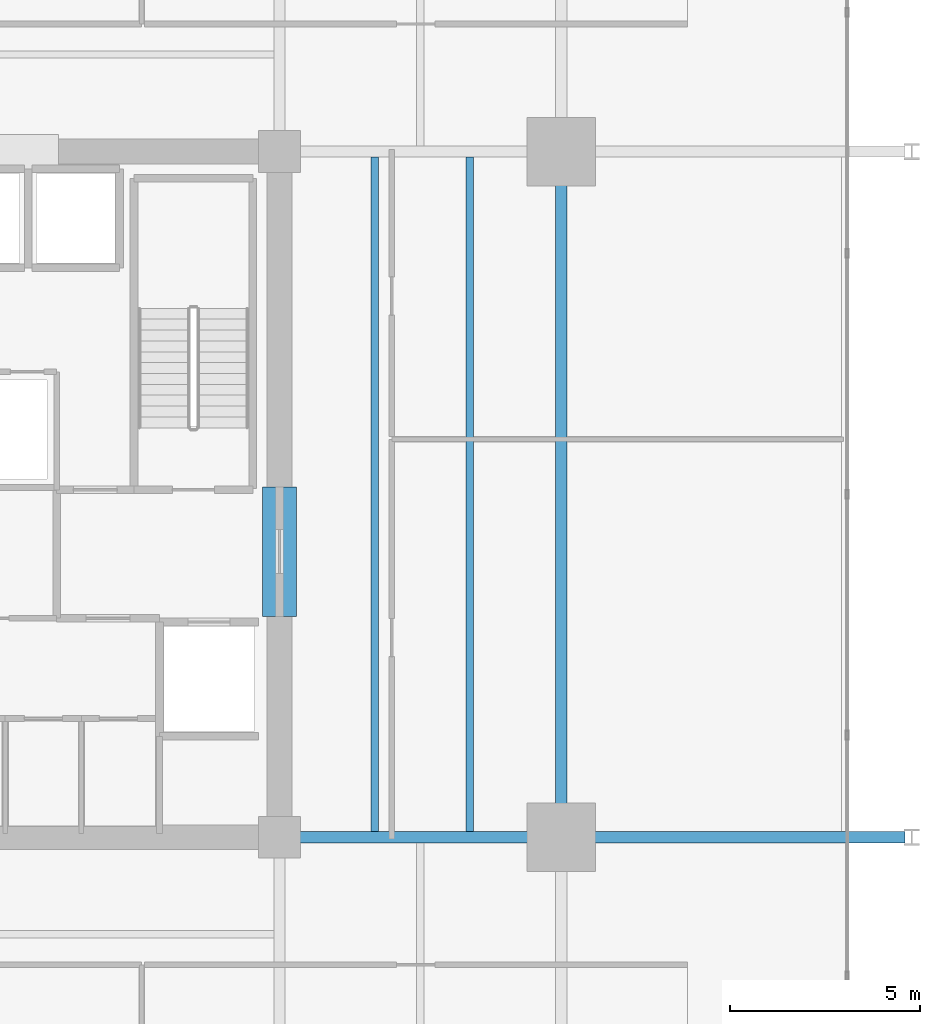
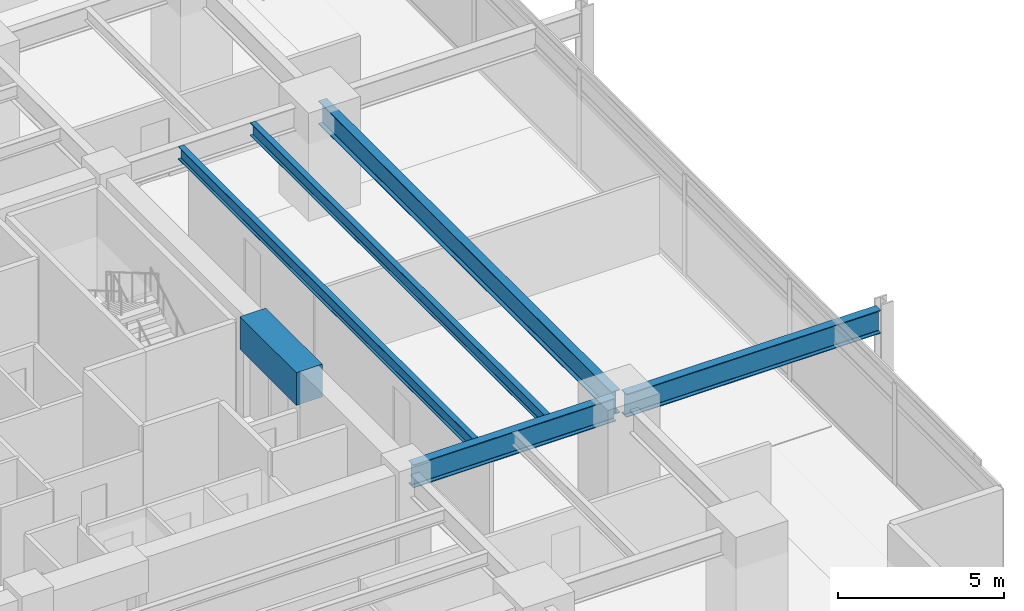
# One storey, part 9 of 23: 6 beams.
"""IFC4 building model written with IfcOpenShell, lengths in metres."""

from ifc_helpers import new_model, si_unit, direction, frame, origin, origin_2d, place, context, subcontext, project, spatial, rectangle, i_section, extrude, material, material_profile, profile_set, type_object, element, save


model = new_model("IFC4")

# Units and contexts
model_context = context("Model", 3, precision=1e-05, world=origin(), true_north=direction((0.0, 1.0)))
body_context = subcontext(model_context, "Body", "Model", "MODEL_VIEW")
ifc_project = project(units=[si_unit("LENGTHUNIT", "METRE"), si_unit("AREAUNIT", "SQUARE_METRE"), si_unit("VOLUMEUNIT", "CUBIC_METRE"), si_unit("PLANEANGLEUNIT", "RADIAN"), si_unit("MASSUNIT", "GRAM", prefix="KILO")], contexts=[model_context])

# Site, building, storey
site_placement = place(None, origin())
site = spatial("IfcSite", under=ifc_project, at=site_placement, CompositionType="ELEMENT")
building_placement = place(site_placement, origin())
building = spatial("IfcBuilding", under=site, at=building_placement, Name="Kovane Verandah Tower", CompositionType="ELEMENT")
storey_placement = place(building_placement, frame((0.0, 0.0, 63.60009765625)))
storey = spatial("IfcBuildingStorey", under=building, at=storey_placement, Name="L14", CompositionType="ELEMENT", Elevation=63.60009765625)

# Beams
ifc_material_1 = material(Name="Concrete C80/95", Category="concrete")
ifc_material_profile_1 = material_profile(ifc_material_1, rectangle(XDim=0.89990234375, YDim=1.199951171875, at=origin_2d()), Name="RCB900x1200")
ifc_profile_set_1 = profile_set([ifc_material_profile_1], Name="Concrete C80/95")
beam_type_1 = type_object("IfcBeamType", Name="BM-LINTEL-900x1200", PredefinedType="LINTEL", material=ifc_profile_set_1)
beam_1_placement = place(storey_placement, frame((51.0, 24.300048828125, 3.159912109375), z_axis=(0.0, 1.0, 0.0), x_axis=(-1.0, 0.0, 0.0)))
element("IfcBeam", 1, at=beam_1_placement, inside=storey, type_object=beam_type_1, Name="L14 Core Coupling Lintel CL-E", PredefinedType="LINTEL", context=body_context, shape_type="SweptSolid", body=[
    extrude(rectangle(XDim=0.89990234375, YDim=1.199951171875, at=origin_2d()), origin(), (0.0, 0.0, 1.0), 3.39990234375),
])
ifc_material_2 = material(Name="Steel S355", Category="steel")
ifc_material_profile_2 = material_profile(ifc_material_2, i_section(OverallWidth=0.293701171875, OverallDepth=0.850830078125, WebThickness=0.01611328125, FlangeThickness=0.02685546875, FilletRadius=0.017822265625, at=origin_2d()), Name="UB838x292x226")
ifc_profile_set_2 = profile_set([ifc_material_profile_2], Name="Steel S355")
beam_type_2 = type_object("IfcBeamType", Name="BM-UB838x226", PredefinedType="BEAM", material=ifc_profile_set_2)
beam_2_placement = place(storey_placement, frame((58.39990234375, 18.679931640625, 3.33447265625), z_axis=(0.0, 1.0, 0.0), x_axis=(-1.0, 0.0, 0.0)))
element("IfcBeam", 2, at=beam_2_placement, inside=storey, type_object=beam_type_2, Name="L14 Primary Tower Girder G-RE2", PredefinedType="BEAM", context=body_context, shape_type="SweptSolid", body=[
    extrude(i_section(OverallWidth=0.293701171875, OverallDepth=0.850830078125, WebThickness=0.01611328125, FlangeThickness=0.02685546875, FilletRadius=0.017822265625, at=origin_2d()), origin(), (0.0, 0.0, 1.0), 17.64013671875),
])
beam_3_placement = place(storey_placement, frame((51.179931640625, 18.5, 3.33447265625), z_axis=(1.0, 0.0, 0.0), x_axis=(0.0, 1.0, 0.0)))
element("IfcBeam", 3, at=beam_3_placement, inside=storey, type_object=beam_type_2, Name="L14 Primary Tower Girder G-E1", PredefinedType="BEAM", context=body_context, shape_type="SweptSolid", body=[
    extrude(i_section(OverallWidth=0.293701171875, OverallDepth=0.850830078125, WebThickness=0.01611328125, FlangeThickness=0.02685546875, FilletRadius=0.017822265625, at=origin_2d()), origin(), (0.0, 0.0, 1.0), 7.0400390625),
])
beam_4_placement = place(storey_placement, frame((58.580078125, 18.5, 3.33447265625), z_axis=(1.0, 0.0, 0.0), x_axis=(0.0, 1.0, 0.0)))
element("IfcBeam", 4, at=beam_4_placement, inside=storey, type_object=beam_type_2, Name="L14 Primary Tower Girder G-VE1", PredefinedType="BEAM", context=body_context, shape_type="SweptSolid", body=[
    extrude(i_section(OverallWidth=0.293701171875, OverallDepth=0.850830078125, WebThickness=0.01611328125, FlangeThickness=0.02685546875, FilletRadius=0.017822265625, at=origin_2d()), origin(), (0.0, 0.0, 1.0), 8.83984375),
])
ifc_material_profile_3 = material_profile(ifc_material_2, i_section(OverallWidth=0.19287109375, OverallDepth=0.46728515625, WebThickness=0.011474609375, FlangeThickness=0.01953125, FilletRadius=0.01025390625, at=origin_2d()), Name="UB457x191x98")
ifc_profile_set_3 = profile_set([ifc_material_profile_3], Name="Steel S355")
beam_type_3 = type_object("IfcBeamType", Name="JST-UB457x98", PredefinedType="JOIST", material=ifc_profile_set_3)
for number, where, z_axis, x_axis, name in (
    (5, (53.5, 18.64501953125, 3.5263671875), (0.0, 1.0, 0.0), (-1.0, 0.0, 0.0), "L14 Secondary Composite Joist J-E1"),
    (6, (56.0, 18.64501953125, 3.5263671875), (0.0, 1.0, 0.0), (-1.0, 0.0, 0.0), "L14 Secondary Composite Joist J-E2"),
):
    element("IfcBeam", number, at=place(storey_placement, frame(where, z_axis=z_axis, x_axis=x_axis)), inside=storey, type_object=beam_type_3, Name=name, PredefinedType="JOIST", context=body_context, shape_type="SweptSolid", body=[
        extrude(i_section(OverallWidth=0.19287109375, OverallDepth=0.46728515625, WebThickness=0.011474609375, FlangeThickness=0.01953125, FilletRadius=0.01025390625, at=origin_2d()), origin(), (0.0, 0.0, 1.0), 17.7099609375),
    ])

save(model, "model.ifc")
